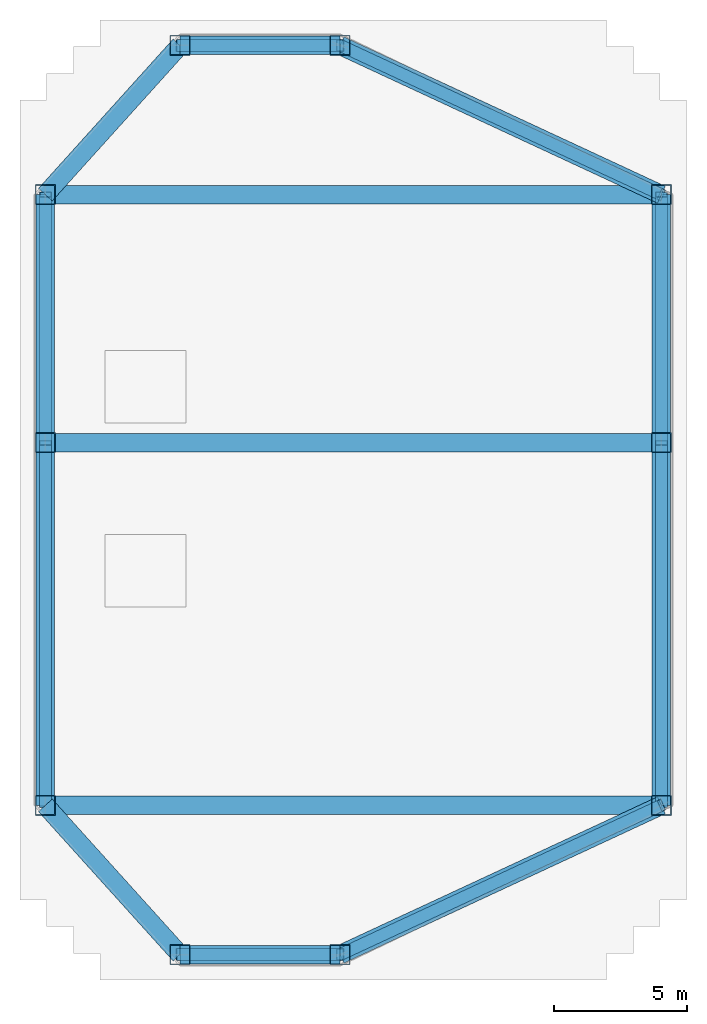
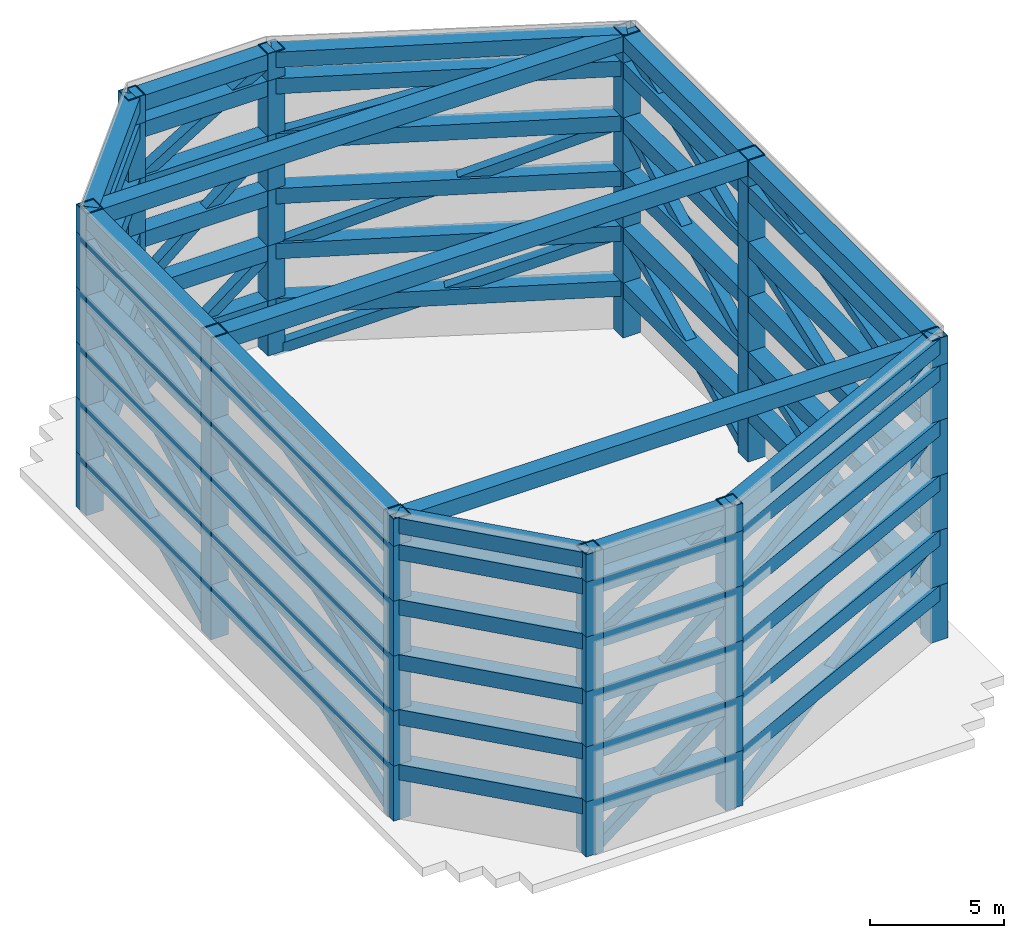
# One storey, part 1 of 2: 60 columns, 51 beams, 24 members.
"""IFC4 building model written with IfcOpenShell, lengths in metres."""

import ifcopenshell
import ifcopenshell.guid

model = None  # the IFC model being written
_history = None  # IfcOwnerHistory: only IFC2X3 demands one
_inside = {}  # id of a spatial element -> (the spatial element, [elements in it])
_under = {}  # id of a project, library or spatial element -> (it, [spatial elements below it])
_declared = {}  # id of a project -> (the project, [libraries it declares])
_typed = {}  # id of a type object -> (the type object, [elements of that type])
_made_of = {}  # id of a material, layer set ... -> (it, [elements and type objects made of it])


def new_model(schema):
    """Start an empty IFC model of exactly this schema.

    Asked for "IFC4X3", IfcOpenShell would pick the latest addendum, in which some entities
    have other attributes; the version numbers below select the first issue.
    IFC2X3 requires an IfcOwnerHistory on every rooted entity: one is made here for all.
    """
    global model, _history
    if schema == "IFC4X3":
        model = ifcopenshell.file(schema_version=(4, 3, 0, 0))
    else:
        model = ifcopenshell.file(schema=schema)
    _inside.clear()
    _under.clear()
    _declared.clear()
    _typed.clear()
    _made_of.clear()
    _history = None
    if model.schema == "IFC2X3":
        org = make("IfcOrganization", Name="unknown")
        user = make(
            "IfcPersonAndOrganization",
            ThePerson=make("IfcPerson", FamilyName="unknown"),
            TheOrganization=org,
        )
        app = make(
            "IfcApplication",
            ApplicationDeveloper=org,
            Version="unknown",
            ApplicationFullName="unknown",
            ApplicationIdentifier="unknown",
        )
        _history = make(
            "IfcOwnerHistory",
            OwningUser=user,
            OwningApplication=app,
            ChangeAction="ADDED",
            CreationDate=0,
        )
    return model


def make(cls, **values):
    """One entity of the class cls with the attributes given. An attribute that is None is left unset."""
    return model.create_entity(
        cls, **{name: value for name, value in values.items() if value is not None}
    )


def rooted(cls, **values):
    """An entity with a GlobalId (a new one), such as an element, a storey or a relation."""
    return make(cls, GlobalId=ifcopenshell.guid.new(), OwnerHistory=_history, **values)


def si_unit(unit_type, name, prefix=None):
    """IfcSIUnit, for example si_unit("LENGTHUNIT", "METRE", prefix="MILLI")."""
    return make("IfcSIUnit", UnitType=unit_type, Prefix=prefix, Name=name)


def assignment(units):
    """IfcUnitAssignment: the units of a project."""
    return None if units is None else make("IfcUnitAssignment", Units=units)


def point(xyz):
    """IfcCartesianPoint."""
    return None if xyz is None else make("IfcCartesianPoint", Coordinates=xyz)


def direction(xyz):
    """IfcDirection."""
    return None if xyz is None else make("IfcDirection", DirectionRatios=xyz)


def frame(location, z_axis=None, x_axis=None):
    """IfcAxis2Placement3D, a coordinate frame: its origin and axes. An axis left out is left unset."""
    return make(
        "IfcAxis2Placement3D",
        Location=point(location),
        Axis=direction(z_axis),
        RefDirection=direction(x_axis),
    )


def frame_2d(location, x_axis=None):
    """IfcAxis2Placement2D, a coordinate frame in the plane: its origin and x axis."""
    return make(
        "IfcAxis2Placement2D", Location=point(location), RefDirection=direction(x_axis)
    )


def origin():
    """The frame at (0, 0, 0) with its axes left unset."""
    return frame((0.0, 0.0, 0.0))


def origin_2d():
    """The frame at (0, 0) in the plane with its x axis left unset."""
    return frame_2d((0.0, 0.0))


def place(relative_to, where):
    """IfcLocalPlacement: puts the frame where relative to a parent placement (None: the world)."""
    return make(
        "IfcLocalPlacement", PlacementRelTo=relative_to, RelativePlacement=where
    )


def context(
    kind, dimensions, precision=None, world=None, true_north=None, identifier=None
):
    """IfcGeometricRepresentationContext, for example the 3D "Model" context."""
    return make(
        "IfcGeometricRepresentationContext",
        ContextIdentifier=identifier,
        ContextType=kind,
        CoordinateSpaceDimension=dimensions,
        Precision=precision,
        WorldCoordinateSystem=world,
        TrueNorth=true_north,
    )


def subcontext(parent, identifier, kind, view, scale=None):
    """IfcGeometricRepresentationSubContext, for example "Body" below "Model"."""
    return make(
        "IfcGeometricRepresentationSubContext",
        ContextIdentifier=identifier,
        ContextType=kind,
        ParentContext=parent,
        TargetScale=scale,
        TargetView=view,
    )


def project(units=None, contexts=None):
    """IfcProject with its units and contexts."""
    return rooted(
        "IfcProject",
        Name="project",
        RepresentationContexts=contexts,
        UnitsInContext=assignment(units),
    )


def spatial(cls, under=None, at=None, **own):
    """A site, building, storey or space (cls), placed at a placement, below another one or the project."""
    s = rooted(cls, ObjectPlacement=at, **own)
    if under is not None:
        _under.setdefault(under.id(), (under, []))[1].append(s)
    return s


def profile(cls, at=None, kind="AREA", **sizes):
    """A parametric profile (cls). Its sizes go by their IFC names, for example OverallWidth=200.0."""
    return make(cls, ProfileType=kind, Position=at, **sizes)


def hollow_rectangle(**sizes):
    """IfcRectangleHollowProfileDef."""
    return profile("IfcRectangleHollowProfileDef", **sizes)


def extrude(swept, where, along, depth):
    """IfcExtrudedAreaSolid: the profile swept, set in the frame where, extruded along a direction by depth."""
    return make(
        "IfcExtrudedAreaSolid",
        SweptArea=swept,
        Position=where,
        ExtrudedDirection=direction(along),
        Depth=depth,
    )


def shape(context_of_items, identifier, shape_type, items):
    """IfcShapeRepresentation: the items that make up one representation, for example the "Body"."""
    return make(
        "IfcShapeRepresentation",
        ContextOfItems=context_of_items,
        RepresentationIdentifier=identifier,
        RepresentationType=shape_type,
        Items=items,
    )


def source(mapping_origin, context_of_items, identifier, shape_type, items):
    """IfcRepresentationMap: a shape defined once, which mapped items show again and again."""
    return make(
        "IfcRepresentationMap",
        MappingOrigin=mapping_origin,
        MappedRepresentation=shape(context_of_items, identifier, shape_type, items),
    )


def transform(
    local_origin,
    x_axis=None,
    y_axis=None,
    z_axis=None,
    scale=None,
    scale2=None,
    scale3=None,
    uniform=True,
):
    """IfcCartesianTransformationOperator3D, or its non-uniform kind. x_axis, y_axis, z_axis: its Axis1, 2, 3."""
    if uniform:
        return make(
            "IfcCartesianTransformationOperator3D",
            Axis1=direction(x_axis),
            Axis2=direction(y_axis),
            LocalOrigin=point(local_origin),
            Scale=scale,
            Axis3=direction(z_axis),
        )
    return make(
        "IfcCartesianTransformationOperator3DnonUniform",
        Axis1=direction(x_axis),
        Axis2=direction(y_axis),
        LocalOrigin=point(local_origin),
        Scale=scale,
        Axis3=direction(z_axis),
        Scale2=scale2,
        Scale3=scale3,
    )


def mapped(mapping_source, mapping_target):
    """IfcMappedItem: shows the shape of a source again, moved by a transform."""
    return make(
        "IfcMappedItem", MappingSource=mapping_source, MappingTarget=mapping_target
    )


def material(Name=None, Category=None):
    """IfcMaterial."""
    return make("IfcMaterial", Name=Name, Category=Category)


def material_profile(
    of_material, cross_section, Name=None, Category=None, Priority=None
):
    """IfcMaterialProfile: a cross section and its material."""
    return make(
        "IfcMaterialProfile",
        Name=Name,
        Material=of_material,
        Profile=cross_section,
        Priority=Priority,
        Category=Category,
    )


def profile_set(profiles, Name=None, composite=None):
    """IfcMaterialProfileSet."""
    return make(
        "IfcMaterialProfileSet",
        Name=Name,
        MaterialProfiles=profiles,
        CompositeProfile=composite,
    )


def made_of(thing, what):
    """Note that an element or type object is made of a material, layer set ...; save() writes the relation."""
    if what is not None:
        _made_of.setdefault(what.id(), (what, []))[1].append(thing)
    return thing


def type_object(cls, material=None, **own):
    """A type object (cls), such as IfcWallType, which elements share."""
    return made_of(rooted(cls, **own), material)


def element(
    cls,
    number,
    at=None,
    inside=None,
    cuts=None,
    type_object=None,
    material=None,
    context=None,
    identifier="Body",
    shape_type=None,
    held_by="IfcProductDefinitionShape",
    body=None,
    shapes=None,
    **own,
):
    """One element of the class cls, such as IfcWall. Its Tag is "e" and its number.

    at: its placement. inside: the storey or other place that contains it. cuts: it is an
    opening in that element (IfcRelVoidsElement). A single representation is given by context,
    identifier, shape_type and body (its items); several are given by shapes. held_by: the class
    of the entity that holds the representations. save() writes the other relations.
    """
    e = rooted(cls, Tag="e%d" % number, ObjectPlacement=at, **own)
    if body is not None:
        shapes = [shape(context, identifier, shape_type, body)]
    if shapes is not None:
        e.Representation = make(held_by, Representations=shapes)
    if inside is not None:
        _inside.setdefault(inside.id(), (inside, []))[1].append(e)
    if cuts is not None:
        rooted(
            "IfcRelVoidsElement", RelatingBuildingElement=cuts, RelatedOpeningElement=e
        )
    if type_object is not None:
        _typed.setdefault(type_object.id(), (type_object, []))[1].append(e)
    return made_of(e, material)


def aggregate(whole, parts):
    """IfcRelAggregates: a whole, such as a stair, and the parts it consists of."""
    return rooted("IfcRelAggregates", RelatingObject=whole, RelatedObjects=parts)


def save(model, path):
    """Write the relations noted so far, then the file.

    IfcRelAggregates (storeys below a building ...), IfcRelContainedInSpatialStructure (elements
    in a storey), IfcRelDefinesByType, IfcRelAssociatesMaterial and IfcRelDeclares: one each for
    every whole, place, type object, material and project.
    """
    for whole, parts in _under.values():
        aggregate(whole, parts)
    for where, things in _inside.values():
        rooted(
            "IfcRelContainedInSpatialStructure",
            RelatedElements=things,
            RelatingStructure=where,
        )
    for kind, things in _typed.values():
        rooted("IfcRelDefinesByType", RelatedObjects=things, RelatingType=kind)
    for what, things in _made_of.values():
        rooted("IfcRelAssociatesMaterial", RelatedObjects=things, RelatingMaterial=what)
    for by, libraries in _declared.values():
        rooted("IfcRelDeclares", RelatingContext=by, RelatedDefinitions=libraries)
    model.write(path)


model = new_model("IFC4")

# Units and contexts
model_context = context("Model", 3, precision=1e-05, world=origin(), true_north=direction((0.0, 1.0)))
body_context = subcontext(model_context, "Body", "Model", "MODEL_VIEW")
ifc_project = project(units=[si_unit("LENGTHUNIT", "METRE"), si_unit("AREAUNIT", "SQUARE_METRE"), si_unit("VOLUMEUNIT", "CUBIC_METRE"), si_unit("PLANEANGLEUNIT", "RADIAN"), si_unit("MASSUNIT", "GRAM", prefix="KILO")], contexts=[model_context])

# Site, building, storey
site_placement = place(None, origin())
site = spatial("IfcSite", under=ifc_project, at=site_placement, CompositionType="ELEMENT")
building_placement = place(site_placement, origin())
building = spatial("IfcBuilding", under=site, at=building_placement, Name="Ocotamira Hotel", CompositionType="ELEMENT")
storey_placement = place(building_placement, frame((0.0, 0.0, 314.60009765625)))
storey = spatial("IfcBuildingStorey", under=building, at=storey_placement, Name="ROOF", CompositionType="ELEMENT", Elevation=314.60009765625)

# Columns
ifc_material = material(Name="Pale-metal coated steel ASTM A913 Grade 65", Category="steel")
ifc_material_profile_1 = material_profile(ifc_material, hollow_rectangle(XDim=0.75, YDim=0.75, WallThickness=0.028076171875, at=origin_2d()), Name="BOX750X750X28")
ifc_profile_set_1 = profile_set([ifc_material_profile_1], Name="Pale-metal coated steel ASTM A913 Grade 65")
column_type = type_object("IfcColumnType", Name="COL-CROWN-750", PredefinedType="COLUMN", material=ifc_profile_set_1)
shared_shape_1 = source(origin(), body_context, "Body", "SweptSolid", [
    extrude(hollow_rectangle(XDim=0.75, YDim=0.75, WallThickness=0.028076171875, at=origin_2d()), origin(), (0.0, 0.0, 1.0), 2.5),
])
for number, where, z_axis, x_axis, name in (
    (1, (8.949951171875, 14.550048828125, 0.39990234375), (0.0, 0.0, 1.0), (1.0, 0.0, 0.0), "CROWN FRAME POST P01 TIER 1"),
    (2, (8.949951171875, 14.550048828125, 2.89990234375), (0.0, 0.0, 1.0), (1.0, 0.0, 0.0), "CROWN FRAME POST P01 TIER 2"),
    (3, (8.949951171875, 14.550048828125, 5.39990234375), (0.0, 0.0, 1.0), (1.0, 0.0, 0.0), "CROWN FRAME POST P01 TIER 3"),
    (4, (8.949951171875, 14.550048828125, 7.89990234375), (0.0, 0.0, 1.0), (1.0, 0.0, 0.0), "CROWN FRAME POST P01 TIER 4"),
    (5, (8.949951171875, 14.550048828125, 10.39990234375), (0.0, 0.0, 1.0), (1.0, 0.0, 0.0), "CROWN FRAME POST P01 TIER 5"),
    (6, (8.949951171875, 28.14990234375, 0.39990234375), (0.0, 0.0, 1.0), (1.0, 0.0, 0.0), "CROWN FRAME POST P02 TIER 1"),
    (7, (8.949951171875, 28.14990234375, 2.89990234375), (0.0, 0.0, 1.0), (1.0, 0.0, 0.0), "CROWN FRAME POST P02 TIER 2"),
    (8, (8.949951171875, 28.14990234375, 5.39990234375), (0.0, 0.0, 1.0), (1.0, 0.0, 0.0), "CROWN FRAME POST P02 TIER 3"),
    (9, (8.949951171875, 28.14990234375, 7.89990234375), (0.0, 0.0, 1.0), (1.0, 0.0, 0.0), "CROWN FRAME POST P02 TIER 4"),
    (10, (8.949951171875, 28.14990234375, 10.39990234375), (0.0, 0.0, 1.0), (1.0, 0.0, 0.0), "CROWN FRAME POST P02 TIER 5"),
    (11, (8.949951171875, 37.449951171875, 0.39990234375), (0.0, 0.0, 1.0), (1.0, 0.0, 0.0), "CROWN FRAME POST P03 TIER 1"),
    (12, (8.949951171875, 37.449951171875, 2.89990234375), (0.0, 0.0, 1.0), (1.0, 0.0, 0.0), "CROWN FRAME POST P03 TIER 2"),
    (13, (8.949951171875, 37.449951171875, 5.39990234375), (0.0, 0.0, 1.0), (1.0, 0.0, 0.0), "CROWN FRAME POST P03 TIER 3"),
    (14, (8.949951171875, 37.449951171875, 7.89990234375), (0.0, 0.0, 1.0), (1.0, 0.0, 0.0), "CROWN FRAME POST P03 TIER 4"),
    (15, (8.949951171875, 37.449951171875, 10.39990234375), (0.0, 0.0, 1.0), (1.0, 0.0, 0.0), "CROWN FRAME POST P03 TIER 5"),
    (16, (32.050048828125, 14.550048828125, 0.39990234375), (0.0, 0.0, 1.0), (1.0, 0.0, 0.0), "CROWN FRAME POST P04 TIER 1"),
    (17, (32.050048828125, 14.550048828125, 2.89990234375), (0.0, 0.0, 1.0), (1.0, 0.0, 0.0), "CROWN FRAME POST P04 TIER 2"),
    (18, (32.050048828125, 14.550048828125, 5.39990234375), (0.0, 0.0, 1.0), (1.0, 0.0, 0.0), "CROWN FRAME POST P04 TIER 3"),
    (19, (32.050048828125, 14.550048828125, 7.89990234375), (0.0, 0.0, 1.0), (1.0, 0.0, 0.0), "CROWN FRAME POST P04 TIER 4"),
    (20, (32.050048828125, 14.550048828125, 10.39990234375), (0.0, 0.0, 1.0), (1.0, 0.0, 0.0), "CROWN FRAME POST P04 TIER 5"),
    (21, (32.050048828125, 28.14990234375, 0.39990234375), (0.0, 0.0, 1.0), (1.0, 0.0, 0.0), "CROWN FRAME POST P05 TIER 1"),
    (22, (32.050048828125, 28.14990234375, 2.89990234375), (0.0, 0.0, 1.0), (1.0, 0.0, 0.0), "CROWN FRAME POST P05 TIER 2"),
    (23, (32.050048828125, 28.14990234375, 5.39990234375), (0.0, 0.0, 1.0), (1.0, 0.0, 0.0), "CROWN FRAME POST P05 TIER 3"),
    (24, (32.050048828125, 28.14990234375, 7.89990234375), (0.0, 0.0, 1.0), (1.0, 0.0, 0.0), "CROWN FRAME POST P05 TIER 4"),
    (25, (32.050048828125, 28.14990234375, 10.39990234375), (0.0, 0.0, 1.0), (1.0, 0.0, 0.0), "CROWN FRAME POST P05 TIER 5"),
    (26, (32.050048828125, 37.449951171875, 0.39990234375), (0.0, 0.0, 1.0), (1.0, 0.0, 0.0), "CROWN FRAME POST P06 TIER 1"),
    (27, (32.050048828125, 37.449951171875, 2.89990234375), (0.0, 0.0, 1.0), (1.0, 0.0, 0.0), "CROWN FRAME POST P06 TIER 2"),
    (28, (32.050048828125, 37.449951171875, 5.39990234375), (0.0, 0.0, 1.0), (1.0, 0.0, 0.0), "CROWN FRAME POST P06 TIER 3"),
    (29, (32.050048828125, 37.449951171875, 7.89990234375), (0.0, 0.0, 1.0), (1.0, 0.0, 0.0), "CROWN FRAME POST P06 TIER 4"),
    (30, (32.050048828125, 37.449951171875, 10.39990234375), (0.0, 0.0, 1.0), (1.0, 0.0, 0.0), "CROWN FRAME POST P06 TIER 5"),
    (31, (14.0, 8.949951171875, 0.39990234375), (0.0, 0.0, 1.0), (1.0, 0.0, 0.0), "CROWN FRAME POST P07 TIER 1"),
    (32, (14.0, 8.949951171875, 2.89990234375), (0.0, 0.0, 1.0), (1.0, 0.0, 0.0), "CROWN FRAME POST P07 TIER 2"),
    (33, (14.0, 8.949951171875, 5.39990234375), (0.0, 0.0, 1.0), (1.0, 0.0, 0.0), "CROWN FRAME POST P07 TIER 3"),
    (34, (14.0, 8.949951171875, 7.89990234375), (0.0, 0.0, 1.0), (1.0, 0.0, 0.0), "CROWN FRAME POST P07 TIER 4"),
    (35, (14.0, 8.949951171875, 10.39990234375), (0.0, 0.0, 1.0), (1.0, 0.0, 0.0), "CROWN FRAME POST P07 TIER 5"),
    (36, (20.0, 8.949951171875, 0.39990234375), (0.0, 0.0, 1.0), (1.0, 0.0, 0.0), "CROWN FRAME POST P08 TIER 1"),
    (37, (20.0, 8.949951171875, 2.89990234375), (0.0, 0.0, 1.0), (1.0, 0.0, 0.0), "CROWN FRAME POST P08 TIER 2"),
    (38, (20.0, 8.949951171875, 5.39990234375), (0.0, 0.0, 1.0), (1.0, 0.0, 0.0), "CROWN FRAME POST P08 TIER 3"),
    (39, (20.0, 8.949951171875, 7.89990234375), (0.0, 0.0, 1.0), (1.0, 0.0, 0.0), "CROWN FRAME POST P08 TIER 4"),
    (40, (20.0, 8.949951171875, 10.39990234375), (0.0, 0.0, 1.0), (1.0, 0.0, 0.0), "CROWN FRAME POST P08 TIER 5"),
    (41, (14.0, 43.050048828125, 0.39990234375), (0.0, 0.0, 1.0), (1.0, 0.0, 0.0), "CROWN FRAME POST P09 TIER 1"),
    (42, (14.0, 43.050048828125, 2.89990234375), (0.0, 0.0, 1.0), (1.0, 0.0, 0.0), "CROWN FRAME POST P09 TIER 2"),
    (43, (14.0, 43.050048828125, 5.39990234375), (0.0, 0.0, 1.0), (1.0, 0.0, 0.0), "CROWN FRAME POST P09 TIER 3"),
    (44, (14.0, 43.050048828125, 7.89990234375), (0.0, 0.0, 1.0), (1.0, 0.0, 0.0), "CROWN FRAME POST P09 TIER 4"),
    (45, (14.0, 43.050048828125, 10.39990234375), (0.0, 0.0, 1.0), (1.0, 0.0, 0.0), "CROWN FRAME POST P09 TIER 5"),
    (46, (20.0, 43.050048828125, 0.39990234375), (0.0, 0.0, 1.0), (1.0, 0.0, 0.0), "CROWN FRAME POST P10 TIER 1"),
    (47, (20.0, 43.050048828125, 2.89990234375), (0.0, 0.0, 1.0), (1.0, 0.0, 0.0), "CROWN FRAME POST P10 TIER 2"),
    (48, (20.0, 43.050048828125, 5.39990234375), (0.0, 0.0, 1.0), (1.0, 0.0, 0.0), "CROWN FRAME POST P10 TIER 3"),
    (49, (20.0, 43.050048828125, 7.89990234375), (0.0, 0.0, 1.0), (1.0, 0.0, 0.0), "CROWN FRAME POST P10 TIER 4"),
    (50, (20.0, 43.050048828125, 10.39990234375), (0.0, 0.0, 1.0), (1.0, 0.0, 0.0), "CROWN FRAME POST P10 TIER 5"),
):
    element("IfcColumn", number, at=place(storey_placement, frame(where, z_axis=z_axis, x_axis=x_axis)), inside=storey, type_object=column_type, Name=name, PredefinedType="COLUMN", context=body_context, shape_type="MappedRepresentation", body=[
        mapped(shared_shape_1, transform((0.0, 0.0, 0.0), scale=1.0)),
    ])
shared_shape_2 = source(origin(), body_context, "Body", "SweptSolid", [
    extrude(hollow_rectangle(XDim=0.75, YDim=0.75, WallThickness=0.028076171875, at=origin_2d()), origin(), (0.0, 0.0, 1.0), 1.239990234375),
])
for number, where, z_axis, x_axis, name in (
    (51, (8.949951171875, 14.550048828125, 12.89990234375), (0.0, 0.0, 1.0), (1.0, 0.0, 0.0), "CROWN FRAME POST P01 TIER 6"),
    (52, (8.949951171875, 28.14990234375, 12.89990234375), (0.0, 0.0, 1.0), (1.0, 0.0, 0.0), "CROWN FRAME POST P02 TIER 6"),
    (53, (8.949951171875, 37.449951171875, 12.89990234375), (0.0, 0.0, 1.0), (1.0, 0.0, 0.0), "CROWN FRAME POST P03 TIER 6"),
    (54, (32.050048828125, 14.550048828125, 12.89990234375), (0.0, 0.0, 1.0), (1.0, 0.0, 0.0), "CROWN FRAME POST P04 TIER 6"),
    (55, (32.050048828125, 28.14990234375, 12.89990234375), (0.0, 0.0, 1.0), (1.0, 0.0, 0.0), "CROWN FRAME POST P05 TIER 6"),
    (56, (32.050048828125, 37.449951171875, 12.89990234375), (0.0, 0.0, 1.0), (1.0, 0.0, 0.0), "CROWN FRAME POST P06 TIER 6"),
    (57, (14.0, 8.949951171875, 12.89990234375), (0.0, 0.0, 1.0), (1.0, 0.0, 0.0), "CROWN FRAME POST P07 TIER 6"),
    (58, (20.0, 8.949951171875, 12.89990234375), (0.0, 0.0, 1.0), (1.0, 0.0, 0.0), "CROWN FRAME POST P08 TIER 6"),
    (59, (14.0, 43.050048828125, 12.89990234375), (0.0, 0.0, 1.0), (1.0, 0.0, 0.0), "CROWN FRAME POST P09 TIER 6"),
    (60, (20.0, 43.050048828125, 12.89990234375), (0.0, 0.0, 1.0), (1.0, 0.0, 0.0), "CROWN FRAME POST P10 TIER 6"),
):
    element("IfcColumn", number, at=place(storey_placement, frame(where, z_axis=z_axis, x_axis=x_axis)), inside=storey, type_object=column_type, Name=name, PredefinedType="COLUMN", context=body_context, shape_type="MappedRepresentation", body=[
        mapped(shared_shape_2, transform((0.0, 0.0, 0.0), scale=1.0)),
    ])

# Beams
ifc_material_profile_2 = material_profile(ifc_material, hollow_rectangle(XDim=0.699951171875, YDim=0.699951171875, WallThickness=0.02490234375, at=origin_2d()), Name="BOX700X700X25")
ifc_profile_set_2 = profile_set([ifc_material_profile_2], Name="Pale-metal coated steel ASTM A913 Grade 65")
beam_type = type_object("IfcBeamType", Name="BM-CROWN-RING", PredefinedType="USERDEFINED", material=ifc_profile_set_2)
shared_shape_3 = source(origin(), body_context, "Body", "SweptSolid", [
    extrude(hollow_rectangle(XDim=0.699951171875, YDim=0.699951171875, WallThickness=0.02490234375, at=origin_2d()), origin(), (0.0, 0.0, 1.0), 22.89990234375),
])
for number, where, z_axis, x_axis, name in (
    (61, (8.949951171875, 14.550048828125, 2.5498046875), (0.0, 1.0, 0.0), (-1.0, 0.0, 0.0), "CROWN FRAME TIER 1 BEAM R01"),
    (62, (32.050048828125, 37.449951171875, 2.5498046875), (0.0, -1.0, 0.0), (1.0, 0.0, 0.0), "CROWN FRAME TIER 1 BEAM R05"),
    (63, (8.949951171875, 14.550048828125, 5.0498046875), (0.0, 1.0, 0.0), (-1.0, 0.0, 0.0), "CROWN FRAME TIER 2 BEAM R01"),
    (64, (32.050048828125, 37.449951171875, 5.0498046875), (0.0, -1.0, 0.0), (1.0, 0.0, 0.0), "CROWN FRAME TIER 2 BEAM R05"),
    (65, (8.949951171875, 14.550048828125, 7.5498046875), (0.0, 1.0, 0.0), (-1.0, 0.0, 0.0), "CROWN FRAME TIER 3 BEAM R01"),
    (66, (32.050048828125, 37.449951171875, 7.5498046875), (0.0, -1.0, 0.0), (1.0, 0.0, 0.0), "CROWN FRAME TIER 3 BEAM R05"),
    (67, (8.949951171875, 14.550048828125, 10.0498046875), (0.0, 1.0, 0.0), (-1.0, 0.0, 0.0), "CROWN FRAME TIER 4 BEAM R01"),
    (68, (32.050048828125, 37.449951171875, 10.0498046875), (0.0, -1.0, 0.0), (1.0, 0.0, 0.0), "CROWN FRAME TIER 4 BEAM R05"),
    (69, (8.949951171875, 14.550048828125, 12.5498046875), (0.0, 1.0, 0.0), (-1.0, 0.0, 0.0), "CROWN FRAME TIER 5 BEAM R01"),
    (70, (32.050048828125, 37.449951171875, 12.5498046875), (0.0, -1.0, 0.0), (1.0, 0.0, 0.0), "CROWN FRAME TIER 5 BEAM R05"),
    (71, (8.949951171875, 14.550048828125, 13.75), (0.0, 1.0, 0.0), (-1.0, 0.0, 0.0), "CROWN FRAME RING BEAM R01"),
    (72, (32.050048828125, 37.449951171875, 13.75), (0.0, -1.0, 0.0), (1.0, 0.0, 0.0), "CROWN FRAME RING BEAM R05"),
):
    element("IfcBeam", number, at=place(storey_placement, frame(where, z_axis=z_axis, x_axis=x_axis)), inside=storey, type_object=beam_type, Name=name, ObjectType="CROWN FRAME", PredefinedType="USERDEFINED", context=body_context, shape_type="MappedRepresentation", body=[
        mapped(shared_shape_3, transform((0.0, 0.0, 0.0), scale=1.0)),
    ])
shared_shape_4 = source(origin(), body_context, "Body", "SweptSolid", [
    extrude(hollow_rectangle(XDim=0.699951171875, YDim=0.699951171875, WallThickness=0.02490234375, at=origin_2d()), origin(), (0.0, 0.0, 1.0), 7.540771484375),
])
for number, where, z_axis, x_axis, name in (
    (73, (8.949951171875, 37.449951171875, 2.5498046875), (0.669694207069, 0.74263696987, 0.0), (-0.74263696987, 0.669694207069, 0.0), "CROWN FRAME TIER 1 BEAM R02"),
    (74, (14.0, 8.949951171875, 2.5498046875), (-0.669694207069, 0.74263696987, 0.0), (-0.74263696987, -0.669694207069, 0.0), "CROWN FRAME TIER 1 BEAM R08"),
    (75, (8.949951171875, 37.449951171875, 5.0498046875), (0.669694207069, 0.74263696987, 0.0), (-0.74263696987, 0.669694207069, 0.0), "CROWN FRAME TIER 2 BEAM R02"),
    (76, (14.0, 8.949951171875, 5.0498046875), (-0.669694207069, 0.74263696987, 0.0), (-0.74263696987, -0.669694207069, 0.0), "CROWN FRAME TIER 2 BEAM R08"),
    (77, (8.949951171875, 37.449951171875, 7.5498046875), (0.669694207069, 0.74263696987, 0.0), (-0.74263696987, 0.669694207069, 0.0), "CROWN FRAME TIER 3 BEAM R02"),
    (78, (14.0, 8.949951171875, 7.5498046875), (-0.669694207069, 0.74263696987, 0.0), (-0.74263696987, -0.669694207069, 0.0), "CROWN FRAME TIER 3 BEAM R08"),
    (79, (8.949951171875, 37.449951171875, 10.0498046875), (0.669694207069, 0.74263696987, 0.0), (-0.74263696987, 0.669694207069, 0.0), "CROWN FRAME TIER 4 BEAM R02"),
    (80, (14.0, 8.949951171875, 10.0498046875), (-0.669694207069, 0.74263696987, 0.0), (-0.74263696987, -0.669694207069, 0.0), "CROWN FRAME TIER 4 BEAM R08"),
    (81, (8.949951171875, 37.449951171875, 12.5498046875), (0.669694207069, 0.74263696987, 0.0), (-0.74263696987, 0.669694207069, 0.0), "CROWN FRAME TIER 5 BEAM R02"),
    (82, (14.0, 8.949951171875, 12.5498046875), (-0.669694207069, 0.74263696987, 0.0), (-0.74263696987, -0.669694207069, 0.0), "CROWN FRAME TIER 5 BEAM R08"),
    (83, (8.949951171875, 37.449951171875, 13.75), (0.669694207069, 0.74263696987, 0.0), (-0.74263696987, 0.669694207069, 0.0), "CROWN FRAME RING BEAM R02"),
    (84, (14.0, 8.949951171875, 13.75), (-0.669694207069, 0.74263696987, 0.0), (-0.74263696987, -0.669694207069, 0.0), "CROWN FRAME RING BEAM R08"),
):
    element("IfcBeam", number, at=place(storey_placement, frame(where, z_axis=z_axis, x_axis=x_axis)), inside=storey, type_object=beam_type, Name=name, ObjectType="CROWN FRAME", PredefinedType="USERDEFINED", context=body_context, shape_type="MappedRepresentation", body=[
        mapped(shared_shape_4, transform((0.0, 0.0, 0.0), scale=1.0)),
    ])
shared_shape_5 = source(origin(), body_context, "Body", "SweptSolid", [
    extrude(hollow_rectangle(XDim=0.699951171875, YDim=0.699951171875, WallThickness=0.02490234375, at=origin_2d()), origin(), (0.0, 0.0, 1.0), 6.0),
])
for number, where, z_axis, x_axis, name in (
    (85, (14.0, 43.050048828125, 2.5498046875), (1.0, 0.0, 0.0), (0.0, 1.0, 0.0), "CROWN FRAME TIER 1 BEAM R03"),
    (86, (20.0, 8.949951171875, 2.5498046875), (-1.0, 0.0, 0.0), (0.0, -1.0, 0.0), "CROWN FRAME TIER 1 BEAM R07"),
    (87, (14.0, 43.050048828125, 5.0498046875), (1.0, 0.0, 0.0), (0.0, 1.0, 0.0), "CROWN FRAME TIER 2 BEAM R03"),
    (88, (20.0, 8.949951171875, 5.0498046875), (-1.0, 0.0, 0.0), (0.0, -1.0, 0.0), "CROWN FRAME TIER 2 BEAM R07"),
    (89, (14.0, 43.050048828125, 7.5498046875), (1.0, 0.0, 0.0), (0.0, 1.0, 0.0), "CROWN FRAME TIER 3 BEAM R03"),
    (90, (20.0, 8.949951171875, 7.5498046875), (-1.0, 0.0, 0.0), (0.0, -1.0, 0.0), "CROWN FRAME TIER 3 BEAM R07"),
    (91, (14.0, 43.050048828125, 10.0498046875), (1.0, 0.0, 0.0), (0.0, 1.0, 0.0), "CROWN FRAME TIER 4 BEAM R03"),
    (92, (20.0, 8.949951171875, 10.0498046875), (-1.0, 0.0, 0.0), (0.0, -1.0, 0.0), "CROWN FRAME TIER 4 BEAM R07"),
    (93, (14.0, 43.050048828125, 12.5498046875), (1.0, 0.0, 0.0), (0.0, 1.0, 0.0), "CROWN FRAME TIER 5 BEAM R03"),
    (94, (20.0, 8.949951171875, 12.5498046875), (-1.0, 0.0, 0.0), (0.0, -1.0, 0.0), "CROWN FRAME TIER 5 BEAM R07"),
    (95, (14.0, 43.050048828125, 13.75), (1.0, 0.0, 0.0), (0.0, 1.0, 0.0), "CROWN FRAME RING BEAM R03"),
    (96, (20.0, 8.949951171875, 13.75), (-1.0, 0.0, 0.0), (0.0, -1.0, 0.0), "CROWN FRAME RING BEAM R07"),
):
    element("IfcBeam", number, at=place(storey_placement, frame(where, z_axis=z_axis, x_axis=x_axis)), inside=storey, type_object=beam_type, Name=name, ObjectType="CROWN FRAME", PredefinedType="USERDEFINED", context=body_context, shape_type="MappedRepresentation", body=[
        mapped(shared_shape_5, transform((0.0, 0.0, 0.0), scale=1.0)),
    ])
shared_shape_6 = source(origin(), body_context, "Body", "SweptSolid", [
    extrude(hollow_rectangle(XDim=0.699951171875, YDim=0.699951171875, WallThickness=0.02490234375, at=origin_2d()), origin(), (0.0, 0.0, 1.0), 13.287841796875),
])
for number, where, z_axis, x_axis, name in (
    (97, (20.0, 43.050048828125, 2.5498046875), (0.906852760958, -0.421447588607, 0.0), (0.421447588607, 0.906852760958, 0.0), "CROWN FRAME TIER 1 BEAM R04"),
    (98, (32.050048828125, 14.550048828125, 2.5498046875), (-0.906852760958, -0.421447588607, 0.0), (0.421447588607, -0.906852760958, 0.0), "CROWN FRAME TIER 1 BEAM R06"),
    (99, (20.0, 43.050048828125, 5.0498046875), (0.906852760958, -0.421447588607, 0.0), (0.421447588607, 0.906852760958, 0.0), "CROWN FRAME TIER 2 BEAM R04"),
    (100, (32.050048828125, 14.550048828125, 5.0498046875), (-0.906852760958, -0.421447588607, 0.0), (0.421447588607, -0.906852760958, 0.0), "CROWN FRAME TIER 2 BEAM R06"),
    (101, (20.0, 43.050048828125, 7.5498046875), (0.906852760958, -0.421447588607, 0.0), (0.421447588607, 0.906852760958, 0.0), "CROWN FRAME TIER 3 BEAM R04"),
    (102, (32.050048828125, 14.550048828125, 7.5498046875), (-0.906852760958, -0.421447588607, 0.0), (0.421447588607, -0.906852760958, 0.0), "CROWN FRAME TIER 3 BEAM R06"),
    (103, (20.0, 43.050048828125, 10.0498046875), (0.906852760958, -0.421447588607, 0.0), (0.421447588607, 0.906852760958, 0.0), "CROWN FRAME TIER 4 BEAM R04"),
    (104, (32.050048828125, 14.550048828125, 10.0498046875), (-0.906852760958, -0.421447588607, 0.0), (0.421447588607, -0.906852760958, 0.0), "CROWN FRAME TIER 4 BEAM R06"),
    (105, (20.0, 43.050048828125, 12.5498046875), (0.906852760958, -0.421447588607, 0.0), (0.421447588607, 0.906852760958, 0.0), "CROWN FRAME TIER 5 BEAM R04"),
    (106, (32.050048828125, 14.550048828125, 12.5498046875), (-0.906852760958, -0.421447588607, 0.0), (0.421447588607, -0.906852760958, 0.0), "CROWN FRAME TIER 5 BEAM R06"),
    (107, (20.0, 43.050048828125, 13.75), (0.906852760958, -0.421447588607, 0.0), (0.421447588607, 0.906852760958, 0.0), "CROWN FRAME RING BEAM R04"),
    (108, (32.050048828125, 14.550048828125, 13.75), (-0.906852760958, -0.421447588607, 0.0), (0.421447588607, -0.906852760958, 0.0), "CROWN FRAME RING BEAM R06"),
):
    element("IfcBeam", number, at=place(storey_placement, frame(where, z_axis=z_axis, x_axis=x_axis)), inside=storey, type_object=beam_type, Name=name, ObjectType="CROWN FRAME", PredefinedType="USERDEFINED", context=body_context, shape_type="MappedRepresentation", body=[
        mapped(shared_shape_6, transform((0.0, 0.0, 0.0), scale=1.0)),
    ])
shared_shape_7 = source(origin(), body_context, "Body", "SweptSolid", [
    extrude(hollow_rectangle(XDim=0.699951171875, YDim=0.699951171875, WallThickness=0.02490234375, at=origin_2d()), origin(), (0.0, 0.0, 1.0), 23.10009765625),
])
for number, where, z_axis, x_axis, name in (
    (109, (8.949951171875, 28.14990234375, 13.75), (1.0, 0.0, 0.0), (0.0, 1.0, 0.0), "CROWN FRAME RING BEAM R09"),
    (110, (8.949951171875, 14.550048828125, 13.75), (1.0, 0.0, 0.0), (0.0, 1.0, 0.0), "CROWN FRAME RING BEAM R10"),
    (111, (8.949951171875, 37.449951171875, 13.75), (1.0, 0.0, 0.0), (0.0, 1.0, 0.0), "CROWN FRAME RING BEAM R11"),
):
    element("IfcBeam", number, at=place(storey_placement, frame(where, z_axis=z_axis, x_axis=x_axis)), inside=storey, type_object=beam_type, Name=name, ObjectType="CROWN FRAME", PredefinedType="USERDEFINED", context=body_context, shape_type="MappedRepresentation", body=[
        mapped(shared_shape_7, transform((0.0, 0.0, 0.0), scale=1.0)),
    ])

# Members
ifc_material_profile_3 = material_profile(ifc_material, hollow_rectangle(XDim=0.449951171875, YDim=0.449951171875, WallThickness=0.01611328125, at=origin_2d()), Name="HSS450X450X16")
ifc_profile_set_3 = profile_set([ifc_material_profile_3], Name="Pale-metal coated steel ASTM A913 Grade 65")
member_type = type_object("IfcMemberType", Name="MEM-CROWN-DIAG", PredefinedType="USERDEFINED", material=ifc_profile_set_3)
shared_shape_8 = source(origin(), body_context, "Body", "SweptSolid", [
    extrude(hollow_rectangle(XDim=0.449951171875, YDim=0.449951171875, WallThickness=0.01611328125, at=origin_2d()), origin(), (0.0, 0.0, 1.0), 14.372802734375),
])
for number, where, z_axis, x_axis, name in (
    (112, (8.949951171875, 14.550048828125, 0.39990234375), (0.0, 0.946221058059, 0.323520801935), (-1.0, 0.0, 0.0), "CROWN FRAME BRACE B1.1"),
    (113, (32.050048828125, 14.550048828125, 0.39990234375), (0.0, 0.946221058059, 0.323520801935), (-1.0, 0.0, 0.0), "CROWN FRAME BRACE B3.1"),
):
    element("IfcMember", number, at=place(storey_placement, frame(where, z_axis=z_axis, x_axis=x_axis)), inside=storey, type_object=member_type, Name=name, ObjectType="CROWN FRAME", PredefinedType="USERDEFINED", context=body_context, shape_type="MappedRepresentation", body=[
        mapped(shared_shape_8, transform((0.0, 0.0, 0.0), scale=1.0)),
    ])
shared_shape_9 = source(origin(), body_context, "Body", "SweptSolid", [
    extrude(hollow_rectangle(XDim=0.449951171875, YDim=0.449951171875, WallThickness=0.01611328125, at=origin_2d()), origin(), (0.0, 0.0, 1.0), 14.48974609375),
])
for number, where, z_axis, x_axis, name in (
    (114, (8.949951171875, 14.550048828125, 5.0498046875), (0.0, 0.938577349656, 0.345068918786), (-1.0, 0.0, 0.0), "CROWN FRAME BRACE B1.2"),
    (115, (32.050048828125, 14.550048828125, 5.0498046875), (0.0, 0.938577349656, 0.345068918786), (-1.0, 0.0, 0.0), "CROWN FRAME BRACE B3.2"),
):
    element("IfcMember", number, at=place(storey_placement, frame(where, z_axis=z_axis, x_axis=x_axis)), inside=storey, type_object=member_type, Name=name, ObjectType="CROWN FRAME", PredefinedType="USERDEFINED", context=body_context, shape_type="MappedRepresentation", body=[
        mapped(shared_shape_9, transform((0.0, 0.0, 0.0), scale=1.0)),
    ])
shared_shape_10 = source(origin(), body_context, "Body", "SweptSolid", [
    extrude(hollow_rectangle(XDim=0.449951171875, YDim=0.449951171875, WallThickness=0.01611328125, at=origin_2d()), origin(), (0.0, 0.0, 1.0), 14.09423828125),
])
for number, where, z_axis, x_axis, name in (
    (116, (8.949951171875, 14.550048828125, 10.0498046875), (0.0, 0.964923139819, 0.262532539397), (-1.0, 0.0, 0.0), "CROWN FRAME BRACE B1.3"),
    (117, (32.050048828125, 14.550048828125, 10.0498046875), (0.0, 0.964923139819, 0.262532539397), (-1.0, 0.0, 0.0), "CROWN FRAME BRACE B3.3"),
):
    element("IfcMember", number, at=place(storey_placement, frame(where, z_axis=z_axis, x_axis=x_axis)), inside=storey, type_object=member_type, Name=name, ObjectType="CROWN FRAME", PredefinedType="USERDEFINED", context=body_context, shape_type="MappedRepresentation", body=[
        mapped(shared_shape_10, transform((0.0, 0.0, 0.0), scale=1.0)),
    ])
shared_shape_11 = source(origin(), body_context, "Body", "SweptSolid", [
    extrude(hollow_rectangle(XDim=0.449951171875, YDim=0.449951171875, WallThickness=0.01611328125, at=origin_2d()), origin(), (0.0, 0.0, 1.0), 10.397705078125),
])
for number, where, z_axis, x_axis, name in (
    (118, (8.949951171875, 28.14990234375, 0.39990234375), (0.0, 0.894431886994, 0.447204203389), (-1.0, 0.0, 0.0), "CROWN FRAME BRACE B2.1"),
    (119, (32.050048828125, 28.14990234375, 0.39990234375), (0.0, 0.894431886994, 0.447204203389), (-1.0, 0.0, 0.0), "CROWN FRAME BRACE B4.1"),
):
    element("IfcMember", number, at=place(storey_placement, frame(where, z_axis=z_axis, x_axis=x_axis)), inside=storey, type_object=member_type, Name=name, ObjectType="CROWN FRAME", PredefinedType="USERDEFINED", context=body_context, shape_type="MappedRepresentation", body=[
        mapped(shared_shape_11, transform((0.0, 0.0, 0.0), scale=1.0)),
    ])
shared_shape_12 = source(origin(), body_context, "Body", "SweptSolid", [
    extrude(hollow_rectangle(XDim=0.449951171875, YDim=0.449951171875, WallThickness=0.01611328125, at=origin_2d()), origin(), (0.0, 0.0, 1.0), 10.558837890625),
])
for number, where, z_axis, x_axis, name in (
    (120, (8.949951171875, 28.14990234375, 5.0498046875), (0.0, 0.880776060751, 0.473533030325), (-1.0, 0.0, 0.0), "CROWN FRAME BRACE B2.2"),
    (121, (32.050048828125, 28.14990234375, 5.0498046875), (0.0, 0.880776060751, 0.473533030325), (-1.0, 0.0, 0.0), "CROWN FRAME BRACE B4.2"),
):
    element("IfcMember", number, at=place(storey_placement, frame(where, z_axis=z_axis, x_axis=x_axis)), inside=storey, type_object=member_type, Name=name, ObjectType="CROWN FRAME", PredefinedType="USERDEFINED", context=body_context, shape_type="MappedRepresentation", body=[
        mapped(shared_shape_12, transform((0.0, 0.0, 0.0), scale=1.0)),
    ])
shared_shape_13 = source(origin(), body_context, "Body", "SweptSolid", [
    extrude(hollow_rectangle(XDim=0.449951171875, YDim=0.449951171875, WallThickness=0.01611328125, at=origin_2d()), origin(), (0.0, 0.0, 1.0), 10.009033203125),
])
for number, where, z_axis, x_axis, name in (
    (122, (8.949951171875, 28.14990234375, 10.0498046875), (0.0, 0.929158092263, 0.36968262007), (-1.0, 0.0, 0.0), "CROWN FRAME BRACE B2.3"),
    (123, (32.050048828125, 28.14990234375, 10.0498046875), (0.0, 0.929158092263, 0.36968262007), (-1.0, 0.0, 0.0), "CROWN FRAME BRACE B4.3"),
):
    element("IfcMember", number, at=place(storey_placement, frame(where, z_axis=z_axis, x_axis=x_axis)), inside=storey, type_object=member_type, Name=name, ObjectType="CROWN FRAME", PredefinedType="USERDEFINED", context=body_context, shape_type="MappedRepresentation", body=[
        mapped(shared_shape_13, transform((0.0, 0.0, 0.0), scale=1.0)),
    ])
shared_shape_14 = source(origin(), body_context, "Body", "SweptSolid", [
    extrude(hollow_rectangle(XDim=0.449951171875, YDim=0.449951171875, WallThickness=0.01611328125, at=origin_2d()), origin(), (0.0, 0.0, 1.0), 7.5908203125),
])
for number, where, z_axis, x_axis, name in (
    (124, (14.0, 8.949951171875, 0.39990234375), (0.790421281151, 0.0, 0.612563627963), (0.0, 1.0, 0.0), "CROWN FRAME BRACE B5.1"),
    (125, (14.0, 43.050048828125, 0.39990234375), (0.790421281151, 0.0, 0.612563627963), (0.0, 1.0, 0.0), "CROWN FRAME BRACE B7.1"),
):
    element("IfcMember", number, at=place(storey_placement, frame(where, z_axis=z_axis, x_axis=x_axis)), inside=storey, type_object=member_type, Name=name, ObjectType="CROWN FRAME", PredefinedType="USERDEFINED", context=body_context, shape_type="MappedRepresentation", body=[
        mapped(shared_shape_14, transform((0.0, 0.0, 0.0), scale=1.0)),
    ])
shared_shape_15 = source(origin(), body_context, "Body", "SweptSolid", [
    extrude(hollow_rectangle(XDim=0.449951171875, YDim=0.449951171875, WallThickness=0.01611328125, at=origin_2d()), origin(), (0.0, 0.0, 1.0), 7.810302734375),
])
for number, where, z_axis, x_axis, name in (
    (126, (14.0, 8.949951171875, 5.0498046875), (0.768221279597, 0.0, 0.640184399664), (0.0, 1.0, 0.0), "CROWN FRAME BRACE B5.2"),
    (127, (14.0, 43.050048828125, 5.0498046875), (0.768221279597, 0.0, 0.640184399664), (0.0, 1.0, 0.0), "CROWN FRAME BRACE B7.2"),
):
    element("IfcMember", number, at=place(storey_placement, frame(where, z_axis=z_axis, x_axis=x_axis)), inside=storey, type_object=member_type, Name=name, ObjectType="CROWN FRAME", PredefinedType="USERDEFINED", context=body_context, shape_type="MappedRepresentation", body=[
        mapped(shared_shape_15, transform((0.0, 0.0, 0.0), scale=1.0)),
    ])
shared_shape_16 = source(origin(), body_context, "Body", "SweptSolid", [
    extrude(hollow_rectangle(XDim=0.449951171875, YDim=0.449951171875, WallThickness=0.01611328125, at=origin_2d()), origin(), (0.0, 0.0, 1.0), 7.04931640625),
])
for number, where, z_axis, x_axis, name in (
    (128, (14.0, 8.949951171875, 10.0498046875), (0.85115849084, 0.0, 0.524908776333), (0.0, 1.0, 0.0), "CROWN FRAME BRACE B5.3"),
    (129, (14.0, 43.050048828125, 10.0498046875), (0.85115849084, 0.0, 0.524908776333), (0.0, 1.0, 0.0), "CROWN FRAME BRACE B7.3"),
):
    element("IfcMember", number, at=place(storey_placement, frame(where, z_axis=z_axis, x_axis=x_axis)), inside=storey, type_object=member_type, Name=name, ObjectType="CROWN FRAME", PredefinedType="USERDEFINED", context=body_context, shape_type="MappedRepresentation", body=[
        mapped(shared_shape_16, transform((0.0, 0.0, 0.0), scale=1.0)),
    ])
shared_shape_17 = source(origin(), body_context, "Body", "SweptSolid", [
    extrude(hollow_rectangle(XDim=0.449951171875, YDim=0.449951171875, WallThickness=0.01611328125, at=origin_2d()), origin(), (0.0, 0.0, 1.0), 14.077880859375),
])
for number, where, z_axis, x_axis, name in (
    (130, (20.0, 8.949951171875, 0.39990234375), (0.855956951944, 0.397794447873, 0.330298764243), (-0.421447588607, 0.906852760958, 0.0), "CROWN FRAME BRACE B6.1"),
    (131, (20.0, 43.050048828125, 0.39990234375), (0.855956951944, -0.397794447873, 0.330298764243), (0.421447588607, 0.906852760958, 0.0), "CROWN FRAME BRACE B8.1"),
):
    element("IfcMember", number, at=place(storey_placement, frame(where, z_axis=z_axis, x_axis=x_axis)), inside=storey, type_object=member_type, Name=name, ObjectType="CROWN FRAME", PredefinedType="USERDEFINED", context=body_context, shape_type="MappedRepresentation", body=[
        mapped(shared_shape_17, transform((0.0, 0.0, 0.0), scale=1.0)),
    ])
shared_shape_18 = source(origin(), body_context, "Body", "SweptSolid", [
    extrude(hollow_rectangle(XDim=0.449951171875, YDim=0.449951171875, WallThickness=0.01611328125, at=origin_2d()), origin(), (0.0, 0.0, 1.0), 14.197265625),
])
for number, where, z_axis, x_axis, name in (
    (132, (20.0, 8.949951171875, 5.0498046875), (0.848753332542, 0.394446662922, 0.352178378963), (-0.421447588607, 0.906852760958, 0.0), "CROWN FRAME BRACE B6.2"),
    (133, (20.0, 43.050048828125, 5.0498046875), (0.848753332542, -0.394446662922, 0.352178378963), (0.421447588607, 0.906852760958, 0.0), "CROWN FRAME BRACE B8.2"),
):
    element("IfcMember", number, at=place(storey_placement, frame(where, z_axis=z_axis, x_axis=x_axis)), inside=storey, type_object=member_type, Name=name, ObjectType="CROWN FRAME", PredefinedType="USERDEFINED", context=body_context, shape_type="MappedRepresentation", body=[
        mapped(shared_shape_18, transform((0.0, 0.0, 0.0), scale=1.0)),
    ])
shared_shape_19 = source(origin(), body_context, "Body", "SweptSolid", [
    extrude(hollow_rectangle(XDim=0.449951171875, YDim=0.449951171875, WallThickness=0.01611328125, at=origin_2d()), origin(), (0.0, 0.0, 1.0), 13.79345703125),
])
for number, where, z_axis, x_axis, name in (
    (134, (20.0, 8.949951171875, 10.0498046875), (0.873613586231, 0.406000130498, 0.268259568307), (-0.421447588607, 0.906852760958, 0.0), "CROWN FRAME BRACE B6.3"),
    (135, (20.0, 43.050048828125, 10.0498046875), (0.873613586231, -0.406000130498, 0.268259568307), (0.421447588607, 0.906852760958, 0.0), "CROWN FRAME BRACE B8.3"),
):
    element("IfcMember", number, at=place(storey_placement, frame(where, z_axis=z_axis, x_axis=x_axis)), inside=storey, type_object=member_type, Name=name, ObjectType="CROWN FRAME", PredefinedType="USERDEFINED", context=body_context, shape_type="MappedRepresentation", body=[
        mapped(shared_shape_19, transform((0.0, 0.0, 0.0), scale=1.0)),
    ])

save(model, "model.ifc")
